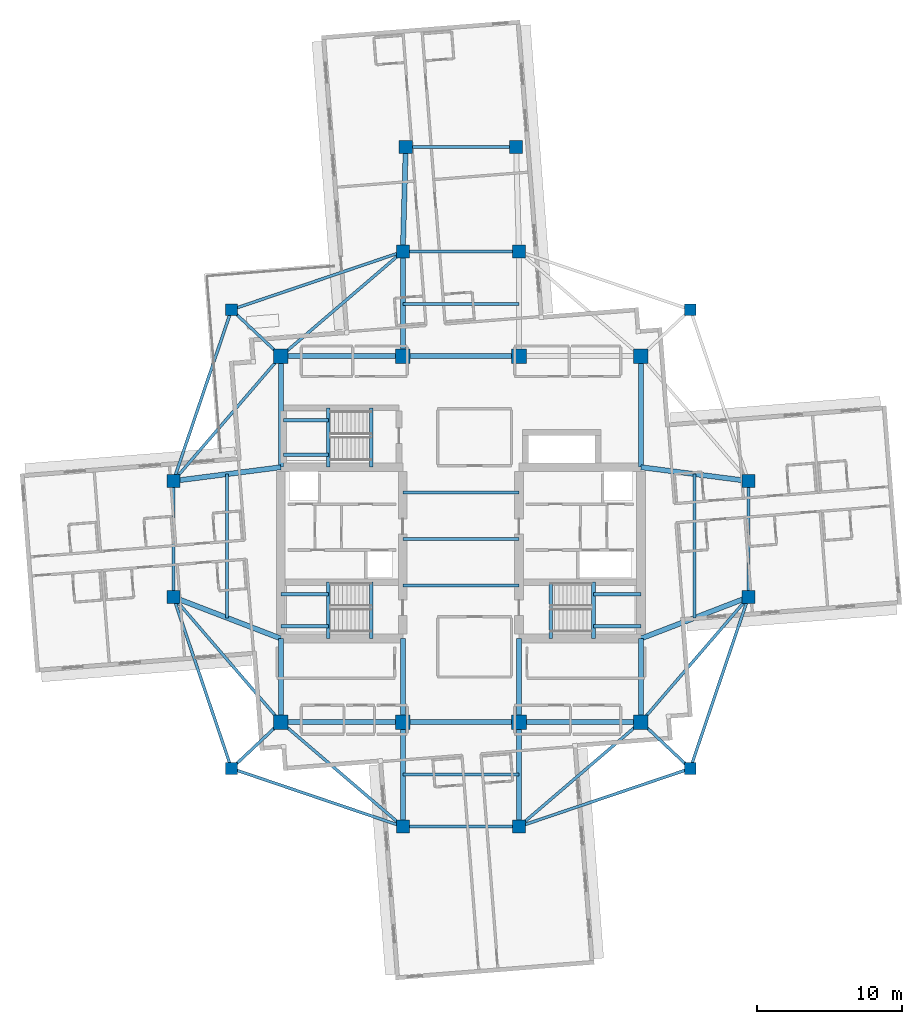
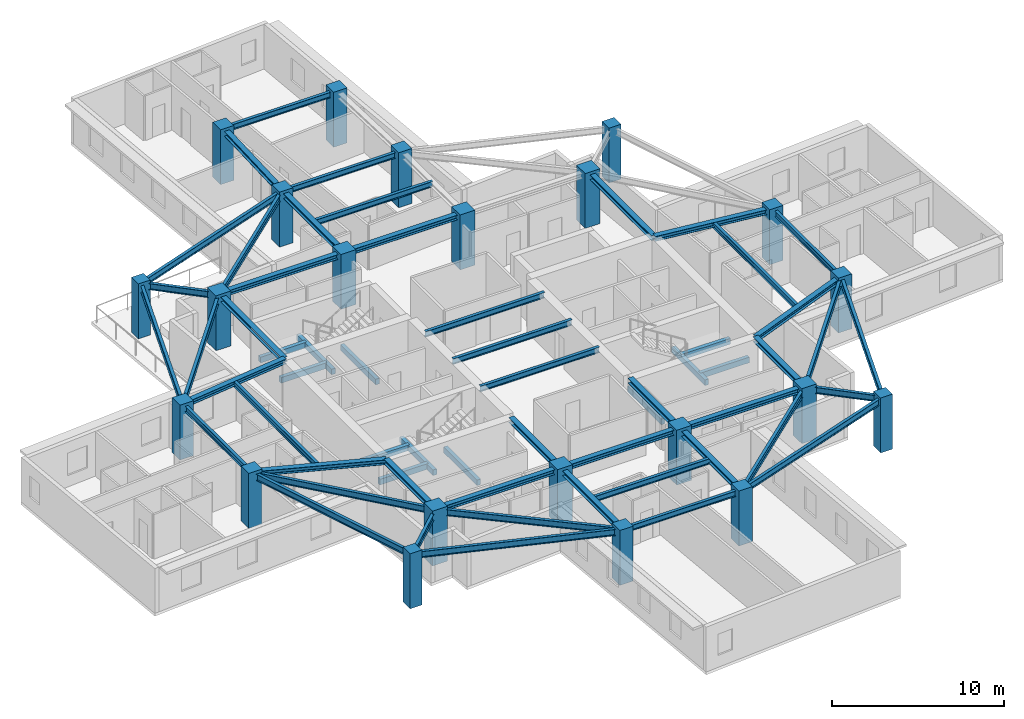
# One storey, part 1 of 13: 58 beams, 22 columns.
"""IFC4 building model written with IfcOpenShell, lengths in metres."""

from ifc_helpers import new_model, si_unit, direction, frame, origin, origin_2d, place, context, subcontext, project, spatial, rectangle, i_section, extrude, material, material_profile, profile_set, type_object, element, save


model = new_model("IFC4")

# Units and contexts
model_context = context("Model", 3, precision=1e-05, world=origin(), true_north=direction((0.0, 1.0)))
body_context = subcontext(model_context, "Body", "Model", "MODEL_VIEW")
ifc_project = project(units=[si_unit("LENGTHUNIT", "METRE"), si_unit("AREAUNIT", "SQUARE_METRE"), si_unit("VOLUMEUNIT", "CUBIC_METRE"), si_unit("PLANEANGLEUNIT", "RADIAN"), si_unit("MASSUNIT", "GRAM", prefix="KILO")], contexts=[model_context])

# Site, building, storey
site_placement = place(None, origin())
site = spatial("IfcSite", under=ifc_project, at=site_placement, CompositionType="ELEMENT")
building_placement = place(site_placement, origin())
building = spatial("IfcBuilding", under=site, at=building_placement, Name="Qingluan Cross Belvedere", CompositionType="ELEMENT")
storey_placement = place(building_placement, frame((0.0, 0.0, 205.199951171875)))
storey = spatial("IfcBuildingStorey", under=building, at=storey_placement, Name="L51", CompositionType="ELEMENT", Elevation=205.199951171875)

# Columns
ifc_material_1 = material(Name="Concrete C50", Category="concrete")
ifc_material_profile_1 = material_profile(ifc_material_1, rectangle(XDim=1.0, YDim=1.0, at=origin_2d()), Name="RC1000x1000")
ifc_profile_set_1 = profile_set([ifc_material_profile_1], Name="Concrete C50")
column_type_1 = type_object("IfcColumnType", Name="Column_RC1000x1000", PredefinedType="COLUMN", material=ifc_profile_set_1)
for number, where, z_axis, x_axis, name in (
    (1, (-12.39990234375, -12.60009765625, 0.0), (0.0, 0.0, 1.0), (1.0, 0.0, 0.0), "Hub column L51-HC1"),
    (2, (12.39990234375, -12.60009765625, 0.0), (0.0, 0.0, 1.0), (1.0, 0.0, 0.0), "Hub column L51-HC2"),
    (3, (12.39990234375, 12.60009765625, 0.0), (0.0, 0.0, 1.0), (1.0, 0.0, 0.0), "Hub column L51-HC3"),
    (4, (-12.39990234375, 12.60009765625, 0.0), (0.0, 0.0, 1.0), (1.0, 0.0, 0.0), "Hub column L51-HC4"),
    (5, (-4.0, -12.60009765625, 0.0), (0.0, 0.0, 1.0), (1.0, 0.0, 0.0), "Hub column L51-HC5"),
    (6, (4.0, -12.60009765625, 0.0), (0.0, 0.0, 1.0), (1.0, 0.0, 0.0), "Hub column L51-HC6"),
    (7, (4.0, 12.60009765625, 0.0), (0.0, 0.0, 1.0), (1.0, 0.0, 0.0), "Hub column L51-HC7"),
    (8, (-4.0, 12.60009765625, 0.0), (0.0, 0.0, 1.0), (1.0, 0.0, 0.0), "Hub column L51-HC8"),
):
    element("IfcColumn", number, at=place(storey_placement, frame(where, z_axis=z_axis, x_axis=x_axis)), inside=storey, type_object=column_type_1, Name=name, PredefinedType="COLUMN", context=body_context, shape_type="SweptSolid", body=[
        extrude(rectangle(XDim=1.0, YDim=1.0, at=origin_2d()), origin(), (0.0, 0.0, 1.0), 3.900146484375),
    ])
ifc_material_2 = material(Name="Concrete C50", Category="concrete")
ifc_material_profile_2 = material_profile(ifc_material_2, rectangle(XDim=0.800048828125, YDim=0.800048828125, at=origin_2d()), Name="RC800x800")
ifc_profile_set_2 = profile_set([ifc_material_profile_2], Name="Concrete C50")
column_type_2 = type_object("IfcColumnType", Name="Column_RC800x800", PredefinedType="COLUMN", material=ifc_profile_set_2)
for number, where, z_axis, x_axis, name in (
    (9, (15.800048828125, 15.800048828125, 0.0), (0.0, 0.0, 1.0), (1.0, 0.0, 0.0), "Corner column L51-RNE"),
    (10, (-15.800048828125, 15.800048828125, 0.0), (0.0, 0.0, 1.0), (1.0, 0.0, 0.0), "Corner column L51-RNW"),
    (11, (-15.800048828125, -15.800048828125, 0.0), (0.0, 0.0, 1.0), (1.0, 0.0, 0.0), "Corner column L51-RSW"),
    (12, (15.800048828125, -15.800048828125, 0.0), (0.0, 0.0, 1.0), (1.0, 0.0, 0.0), "Corner column L51-RSE"),
):
    element("IfcColumn", number, at=place(storey_placement, frame(where, z_axis=z_axis, x_axis=x_axis)), inside=storey, type_object=column_type_2, Name=name, PredefinedType="COLUMN", context=body_context, shape_type="SweptSolid", body=[
        extrude(rectangle(XDim=0.800048828125, YDim=0.800048828125, at=origin_2d()), origin(), (0.0, 0.0, 1.0), 3.900146484375),
    ])
ifc_material_3 = material(Name="Concrete C50", Category="concrete")
ifc_material_profile_3 = material_profile(ifc_material_3, rectangle(XDim=0.89990234375, YDim=0.89990234375, at=origin_2d()), Name="RC900x900")
ifc_profile_set_3 = profile_set([ifc_material_profile_3], Name="Concrete C50")
column_type_3 = type_object("IfcColumnType", Name="Column_RC900x900", PredefinedType="COLUMN", material=ifc_profile_set_3)
for number, where, z_axis, x_axis, name in (
    (13, (19.800048828125, -4.0, 0.0), (0.0, 0.0, 1.0), (1.0, 0.0, 0.0), "Arm column L51-EIA"),
    (14, (19.800048828125, 4.0, 0.0), (0.0, 0.0, 1.0), (1.0, 0.0, 0.0), "Arm column L51-EIB"),
    (15, (-19.800048828125, -4.0, 0.0), (0.0, 0.0, 1.0), (1.0, 0.0, 0.0), "Arm column L51-WIA"),
    (16, (-19.800048828125, 4.0, 0.0), (0.0, 0.0, 1.0), (1.0, 0.0, 0.0), "Arm column L51-WIB"),
    (17, (-4.0, -19.800048828125, 0.0), (0.0, 0.0, 1.0), (1.0, 0.0, 0.0), "Arm column L51-SIA"),
    (18, (4.0, -19.800048828125, 0.0), (0.0, 0.0, 1.0), (1.0, 0.0, 0.0), "Arm column L51-SIB"),
    (19, (-4.0, 19.800048828125, 0.0), (0.0, 0.0, 1.0), (1.0, 0.0, 0.0), "Arm column L51-NIA"),
    (20, (4.0, 19.800048828125, 0.0), (0.0, 0.0, 1.0), (1.0, 0.0, 0.0), "Arm column L51-NIB"),
    (21, (-3.800048828125, 27.0, 0.0), (0.0, 0.0, 1.0), (1.0, 0.0, 0.0), "Arm column L51-NOA"),
    (22, (3.800048828125, 27.0, 0.0), (0.0, 0.0, 1.0), (1.0, 0.0, 0.0), "Arm column L51-NOB"),
):
    element("IfcColumn", number, at=place(storey_placement, frame(where, z_axis=z_axis, x_axis=x_axis)), inside=storey, type_object=column_type_3, Name=name, PredefinedType="COLUMN", context=body_context, shape_type="SweptSolid", body=[
        extrude(rectangle(XDim=0.89990234375, YDim=0.89990234375, at=origin_2d()), origin(), (0.0, 0.0, 1.0), 3.900146484375),
    ])

# Beams
ifc_material_4 = material(Name="Concrete C45", Category="concrete")
ifc_material_profile_4 = material_profile(ifc_material_4, rectangle(XDim=0.25, YDim=0.39990234375, at=origin_2d()), Name="RC250x400")
ifc_profile_set_4 = profile_set([ifc_material_profile_4], Name="Concrete C45")
beam_type_1 = type_object("IfcBeamType", Name="RC_Lintel_RC250x400", PredefinedType="LINTEL", material=ifc_profile_set_4)
for number, where, z_axis, x_axis, name in (
    (23, (-6.179931640625, -6.85009765625, -0.199951171875), (0.0, 1.0, 0.0), (-1.0, 0.0, 0.0), "Stair ST1 landing beam L51"),
    (24, (6.179931640625, -6.85009765625, -0.199951171875), (0.0, 1.0, 0.0), (-1.0, 0.0, 0.0), "Stair ST2 landing beam L51"),
):
    element("IfcBeam", number, at=place(storey_placement, frame(where, z_axis=z_axis, x_axis=x_axis)), inside=storey, type_object=beam_type_1, Name=name, PredefinedType="LINTEL", context=body_context, shape_type="SweptSolid", body=[
        extrude(rectangle(XDim=0.25, YDim=0.39990234375, at=origin_2d()), origin(), (0.0, 0.0, 1.0), 3.89013671875),
    ])
beam_1_placement = place(storey_placement, frame((-6.179931640625, 4.949951171875, -0.199951171875), z_axis=(0.0, 1.0, 0.0), x_axis=(-1.0, 0.0, 0.0)))
element("IfcBeam", 25, at=beam_1_placement, inside=storey, type_object=beam_type_1, Name="Stair ST3 landing beam L51", PredefinedType="LINTEL", context=body_context, shape_type="SweptSolid", body=[
    extrude(rectangle(XDim=0.25, YDim=0.39990234375, at=origin_2d()), origin(), (0.0, 0.0, 1.0), 4.090087890625),
])
beam_2_placement = place(storey_placement, frame((-9.1298828125, -6.85009765625, 1.550048828125), z_axis=(0.0, 1.0, 0.0), x_axis=(-1.0, 0.0, 0.0)))
element("IfcBeam", 26, at=beam_2_placement, inside=storey, type_object=beam_type_1, Name="Stair ST1 beam A L51", PredefinedType="LINTEL", context=body_context, shape_type="SweptSolid", body=[
    extrude(rectangle(XDim=0.25, YDim=0.39990234375, at=origin_2d()), origin(), (0.0, 0.0, 1.0), 3.89013671875),
])
for number, where, z_axis, x_axis, name in (
    (27, (-12.39990234375, -6.0, 1.550048828125), (1.0, 0.0, 0.0), (0.0, 1.0, 0.0), "Stair ST1 beam B L51"),
    (28, (-12.39990234375, -3.81005859375, 1.550048828125), (1.0, 0.0, 0.0), (0.0, 1.0, 0.0), "Stair ST1 beam C L51"),
):
    element("IfcBeam", number, at=place(storey_placement, frame(where, z_axis=z_axis, x_axis=x_axis)), inside=storey, type_object=beam_type_1, Name=name, PredefinedType="LINTEL", context=body_context, shape_type="SweptSolid", body=[
        extrude(rectangle(XDim=0.25, YDim=0.39990234375, at=origin_2d()), origin(), (0.0, 0.0, 1.0), 3.27001953125),
    ])
beam_3_placement = place(storey_placement, frame((9.1298828125, -6.85009765625, 1.550048828125), z_axis=(0.0, 1.0, 0.0), x_axis=(-1.0, 0.0, 0.0)))
element("IfcBeam", 29, at=beam_3_placement, inside=storey, type_object=beam_type_1, Name="Stair ST2 beam A L51", PredefinedType="LINTEL", context=body_context, shape_type="SweptSolid", body=[
    extrude(rectangle(XDim=0.25, YDim=0.39990234375, at=origin_2d()), origin(), (0.0, 0.0, 1.0), 3.89013671875),
])
for number, where, z_axis, x_axis, name in (
    (30, (12.39990234375, -6.0, 1.550048828125), (-1.0, 0.0, 0.0), (0.0, -1.0, 0.0), "Stair ST2 beam B L51"),
    (31, (12.39990234375, -3.81005859375, 1.550048828125), (-1.0, 0.0, 0.0), (0.0, -1.0, 0.0), "Stair ST2 beam C L51"),
):
    element("IfcBeam", number, at=place(storey_placement, frame(where, z_axis=z_axis, x_axis=x_axis)), inside=storey, type_object=beam_type_1, Name=name, PredefinedType="LINTEL", context=body_context, shape_type="SweptSolid", body=[
        extrude(rectangle(XDim=0.25, YDim=0.39990234375, at=origin_2d()), origin(), (0.0, 0.0, 1.0), 3.27001953125),
    ])
beam_4_placement = place(storey_placement, frame((-9.1298828125, 4.949951171875, 1.550048828125), z_axis=(0.0, 1.0, 0.0), x_axis=(-1.0, 0.0, 0.0)))
element("IfcBeam", 32, at=beam_4_placement, inside=storey, type_object=beam_type_1, Name="Stair ST3 beam A L51", PredefinedType="LINTEL", context=body_context, shape_type="SweptSolid", body=[
    extrude(rectangle(XDim=0.25, YDim=0.39990234375, at=origin_2d()), origin(), (0.0, 0.0, 1.0), 4.090087890625),
])
for number, where, z_axis, x_axis, name in (
    (33, (-12.219970703125, 5.800048828125, 1.550048828125), (1.0, 0.0, 0.0), (0.0, 1.0, 0.0), "Stair ST3 beam B L51"),
    (34, (-12.219970703125, 8.18994140625, 1.550048828125), (1.0, 0.0, 0.0), (0.0, 1.0, 0.0), "Stair ST3 beam C L51"),
):
    element("IfcBeam", number, at=place(storey_placement, frame(where, z_axis=z_axis, x_axis=x_axis)), inside=storey, type_object=beam_type_1, Name=name, PredefinedType="LINTEL", context=body_context, shape_type="SweptSolid", body=[
        extrude(rectangle(XDim=0.25, YDim=0.39990234375, at=origin_2d()), origin(), (0.0, 0.0, 1.0), 3.090087890625),
    ])
ifc_material_5 = material(Name="Steel Q420GJB", Category="steel")
ifc_material_profile_5 = material_profile(ifc_material_5, i_section(OverallWidth=0.199951171875, OverallDepth=0.39990234375, WebThickness=0.008056640625, FlangeThickness=0.012939453125, FilletRadius=0.012939453125, at=origin_2d()), Name="HN400x200x8x13")
ifc_profile_set_5 = profile_set([ifc_material_profile_5], Name="Steel Q420GJB")
beam_type_2 = type_object("IfcBeamType", Name="Steel_Beam_HN400x200x8x13", PredefinedType="JOIST", material=ifc_profile_set_5)
for number, where, z_axis, x_axis, name in (
    (35, (-4.0, -3.199951171875, 3.5), (1.0, 0.0, 0.0), (0.0, 1.0, 0.0), "Hall beam L51-CH1"),
    (36, (-4.0, 0.0, 3.5), (1.0, 0.0, 0.0), (0.0, 1.0, 0.0), "Hall beam L51-CH2"),
    (37, (-4.0, 3.199951171875, 3.5), (1.0, 0.0, 0.0), (0.0, 1.0, 0.0), "Hall beam L51-CH3"),
    (38, (19.800048828125, -4.0, 3.5), (0.0, 1.0, 0.0), (-1.0, 0.0, 0.0), "Arm E tie L51"),
):
    element("IfcBeam", number, at=place(storey_placement, frame(where, z_axis=z_axis, x_axis=x_axis)), inside=storey, type_object=beam_type_2, Name=name, PredefinedType="JOIST", context=body_context, shape_type="SweptSolid", body=[
        extrude(i_section(OverallWidth=0.199951171875, OverallDepth=0.39990234375, WebThickness=0.008056640625, FlangeThickness=0.012939453125, FilletRadius=0.012939453125, at=origin_2d()), origin(), (0.0, 0.0, 1.0), 8.0),
    ])
beam_5_placement = place(storey_placement, frame((16.10009765625, -5.425048828125, 3.5), z_axis=(0.0, 1.0, 0.0), x_axis=(-1.0, 0.0, 0.0)))
element("IfcBeam", 39, at=beam_5_placement, inside=storey, type_object=beam_type_2, Name="Arm E beam L51", PredefinedType="JOIST", context=body_context, shape_type="SweptSolid", body=[
    extrude(i_section(OverallWidth=0.199951171875, OverallDepth=0.39990234375, WebThickness=0.008056640625, FlangeThickness=0.012939453125, FilletRadius=0.012939453125, at=origin_2d()), origin(), (0.0, 0.0, 1.0), 9.900146484375),
])
beam_6_placement = place(storey_placement, frame((-19.800048828125, -4.0, 3.5), z_axis=(0.0, 1.0, 0.0), x_axis=(-1.0, 0.0, 0.0)))
element("IfcBeam", 40, at=beam_6_placement, inside=storey, type_object=beam_type_2, Name="Arm W tie L51", PredefinedType="JOIST", context=body_context, shape_type="SweptSolid", body=[
    extrude(i_section(OverallWidth=0.199951171875, OverallDepth=0.39990234375, WebThickness=0.008056640625, FlangeThickness=0.012939453125, FilletRadius=0.012939453125, at=origin_2d()), origin(), (0.0, 0.0, 1.0), 8.0),
])
beam_7_placement = place(storey_placement, frame((-16.10009765625, -5.425048828125, 3.5), z_axis=(0.0, 1.0, 0.0), x_axis=(-1.0, 0.0, 0.0)))
element("IfcBeam", 41, at=beam_7_placement, inside=storey, type_object=beam_type_2, Name="Arm W beam L51", PredefinedType="JOIST", context=body_context, shape_type="SweptSolid", body=[
    extrude(i_section(OverallWidth=0.199951171875, OverallDepth=0.39990234375, WebThickness=0.008056640625, FlangeThickness=0.012939453125, FilletRadius=0.012939453125, at=origin_2d()), origin(), (0.0, 0.0, 1.0), 9.900146484375),
])
for number, where, z_axis, x_axis, name in (
    (42, (-4.0, 19.800048828125, 3.5), (1.0, 0.0, 0.0), (0.0, 1.0, 0.0), "Arm N tie L51"),
    (43, (-4.0, 16.199951171875, 3.5), (1.0, 0.0, 0.0), (0.0, 1.0, 0.0), "Arm N beam L51"),
):
    element("IfcBeam", number, at=place(storey_placement, frame(where, z_axis=z_axis, x_axis=x_axis)), inside=storey, type_object=beam_type_2, Name=name, PredefinedType="JOIST", context=body_context, shape_type="SweptSolid", body=[
        extrude(i_section(OverallWidth=0.199951171875, OverallDepth=0.39990234375, WebThickness=0.008056640625, FlangeThickness=0.012939453125, FilletRadius=0.012939453125, at=origin_2d()), origin(), (0.0, 0.0, 1.0), 8.0),
    ])
beam_8_placement = place(storey_placement, frame((-3.800048828125, 27.0, 3.5), z_axis=(1.0, 0.0, 0.0), x_axis=(0.0, 1.0, 0.0)))
element("IfcBeam", 44, at=beam_8_placement, inside=storey, type_object=beam_type_2, Name="Arm N tip transverse beam L51", PredefinedType="JOIST", context=body_context, shape_type="SweptSolid", body=[
    extrude(i_section(OverallWidth=0.199951171875, OverallDepth=0.39990234375, WebThickness=0.008056640625, FlangeThickness=0.012939453125, FilletRadius=0.012939453125, at=origin_2d()), origin(), (0.0, 0.0, 1.0), 7.60009765625),
])
for number, where, z_axis, x_axis, name in (
    (45, (-4.0, -19.800048828125, 3.5), (1.0, 0.0, 0.0), (0.0, 1.0, 0.0), "Arm S tie L51"),
    (46, (-4.0, -16.199951171875, 3.5), (1.0, 0.0, 0.0), (0.0, 1.0, 0.0), "Arm S beam L51"),
):
    element("IfcBeam", number, at=place(storey_placement, frame(where, z_axis=z_axis, x_axis=x_axis)), inside=storey, type_object=beam_type_2, Name=name, PredefinedType="JOIST", context=body_context, shape_type="SweptSolid", body=[
        extrude(i_section(OverallWidth=0.199951171875, OverallDepth=0.39990234375, WebThickness=0.008056640625, FlangeThickness=0.012939453125, FilletRadius=0.012939453125, at=origin_2d()), origin(), (0.0, 0.0, 1.0), 8.0),
    ])
ifc_material_6 = material(Name="Steel Q420GJB", Category="steel")
ifc_material_profile_6 = material_profile(ifc_material_6, i_section(OverallWidth=0.199951171875, OverallDepth=0.449951171875, WebThickness=0.009033203125, FlangeThickness=0.013916015625, FilletRadius=0.01611328125, at=origin_2d()), Name="HN450x200x9x14")
ifc_profile_set_6 = profile_set([ifc_material_profile_6], Name="Steel Q420GJB")
beam_type_3 = type_object("IfcBeamType", Name="Steel_Beam_HN450x200x9x14", PredefinedType="JOIST", material=ifc_profile_set_6)
beam_9_placement = place(storey_placement, frame((-12.39990234375, 12.60009765625, 3.47509765625), z_axis=(-0.728219948308, 0.685343495546, 0.0), x_axis=(-0.685343495546, -0.728219948308, 0.0)))
element("IfcBeam", 47, at=beam_9_placement, inside=storey, type_object=beam_type_3, Name="Corner beam 1 L51-RNW", PredefinedType="JOIST", context=body_context, shape_type="SweptSolid", body=[
    extrude(i_section(OverallWidth=0.199951171875, OverallDepth=0.449951171875, WebThickness=0.009033203125, FlangeThickness=0.013916015625, FilletRadius=0.01611328125, at=origin_2d()), origin(), (0.0, 0.0, 1.0), 4.669189453125),
])
for number, where, z_axis, x_axis, name in (
    (48, (-15.800048828125, 15.800048828125, 3.47509765625), (0.947066283324, 0.321038089628, 0.0), (-0.321038089628, 0.947066283324, 0.0), "Corner beam 2 L51-RNW"),
    (49, (-15.800048828125, 15.800048828125, 3.47509765625), (-0.321038089628, -0.947066283324, 0.0), (0.947066283324, -0.321038089628, 0.0), "Corner beam 3 L51-RNW"),
):
    element("IfcBeam", number, at=place(storey_placement, frame(where, z_axis=z_axis, x_axis=x_axis)), inside=storey, type_object=beam_type_3, Name=name, PredefinedType="JOIST", context=body_context, shape_type="SweptSolid", body=[
        extrude(i_section(OverallWidth=0.199951171875, OverallDepth=0.449951171875, WebThickness=0.009033203125, FlangeThickness=0.013916015625, FilletRadius=0.01611328125, at=origin_2d()), origin(), (0.0, 0.0, 1.0), 12.45947265625),
    ])
beam_10_placement = place(storey_placement, frame((-12.39990234375, 12.60009765625, 3.47509765625), z_axis=(-0.652245077546, -0.75800815221, 0.0), x_axis=(0.75800815221, -0.652245077546, 0.0)))
element("IfcBeam", 50, at=beam_10_placement, inside=storey, type_object=beam_type_3, Name="Corner beam 4 L51-RNW", PredefinedType="JOIST", context=body_context, shape_type="SweptSolid", body=[
    extrude(i_section(OverallWidth=0.199951171875, OverallDepth=0.449951171875, WebThickness=0.009033203125, FlangeThickness=0.013916015625, FilletRadius=0.01611328125, at=origin_2d()), origin(), (0.0, 0.0, 1.0), 11.345703125),
])
beam_11_placement = place(storey_placement, frame((-12.39990234375, 12.60009765625, 3.47509765625), z_axis=(0.759255044656, 0.650793190779, 0.0), x_axis=(-0.650793190779, 0.759255044656, 0.0)))
element("IfcBeam", 51, at=beam_11_placement, inside=storey, type_object=beam_type_3, Name="Corner beam 5 L51-RNW", PredefinedType="JOIST", context=body_context, shape_type="SweptSolid", body=[
    extrude(i_section(OverallWidth=0.199951171875, OverallDepth=0.449951171875, WebThickness=0.009033203125, FlangeThickness=0.013916015625, FilletRadius=0.01611328125, at=origin_2d()), origin(), (0.0, 0.0, 1.0), 11.063232421875),
])
beam_12_placement = place(storey_placement, frame((-12.39990234375, -12.60009765625, 3.455078125), z_axis=(-0.728219948308, -0.685343495546, 0.0), x_axis=(0.685343495546, -0.728219948308, 0.0)))
element("IfcBeam", 52, at=beam_12_placement, inside=storey, type_object=beam_type_3, Name="Corner beam 1 L51-RSW", PredefinedType="JOIST", context=body_context, shape_type="SweptSolid", body=[
    extrude(i_section(OverallWidth=0.199951171875, OverallDepth=0.449951171875, WebThickness=0.009033203125, FlangeThickness=0.013916015625, FilletRadius=0.01611328125, at=origin_2d()), origin(), (0.0, 0.0, 1.0), 4.669189453125),
])
for number, where, z_axis, x_axis, name in (
    (53, (-15.800048828125, -15.800048828125, 3.455078125), (0.947066283324, -0.321038089628, 0.0), (0.321038089628, 0.947066283324, 0.0), "Corner beam 2 L51-RSW"),
    (54, (-15.800048828125, -15.800048828125, 3.455078125), (-0.321038089628, 0.947066283324, 0.0), (-0.947066283324, -0.321038089628, 0.0), "Corner beam 3 L51-RSW"),
):
    element("IfcBeam", number, at=place(storey_placement, frame(where, z_axis=z_axis, x_axis=x_axis)), inside=storey, type_object=beam_type_3, Name=name, PredefinedType="JOIST", context=body_context, shape_type="SweptSolid", body=[
        extrude(i_section(OverallWidth=0.199951171875, OverallDepth=0.449951171875, WebThickness=0.009033203125, FlangeThickness=0.013916015625, FilletRadius=0.01611328125, at=origin_2d()), origin(), (0.0, 0.0, 1.0), 12.45947265625),
    ])
beam_13_placement = place(storey_placement, frame((-12.39990234375, -12.60009765625, 3.455078125), z_axis=(-0.652245077546, 0.75800815221, 0.0), x_axis=(-0.75800815221, -0.652245077546, 0.0)))
element("IfcBeam", 55, at=beam_13_placement, inside=storey, type_object=beam_type_3, Name="Corner beam 4 L51-RSW", PredefinedType="JOIST", context=body_context, shape_type="SweptSolid", body=[
    extrude(i_section(OverallWidth=0.199951171875, OverallDepth=0.449951171875, WebThickness=0.009033203125, FlangeThickness=0.013916015625, FilletRadius=0.01611328125, at=origin_2d()), origin(), (0.0, 0.0, 1.0), 11.345703125),
])
beam_14_placement = place(storey_placement, frame((-12.39990234375, -12.60009765625, 3.455078125), z_axis=(0.759255044656, -0.650793190779, 0.0), x_axis=(0.650793190779, 0.759255044656, 0.0)))
element("IfcBeam", 56, at=beam_14_placement, inside=storey, type_object=beam_type_3, Name="Corner beam 5 L51-RSW", PredefinedType="JOIST", context=body_context, shape_type="SweptSolid", body=[
    extrude(i_section(OverallWidth=0.199951171875, OverallDepth=0.449951171875, WebThickness=0.009033203125, FlangeThickness=0.013916015625, FilletRadius=0.01611328125, at=origin_2d()), origin(), (0.0, 0.0, 1.0), 11.063232421875),
])
beam_15_placement = place(storey_placement, frame((12.39990234375, -12.60009765625, 3.47509765625), z_axis=(0.728219948308, -0.685343495546, 0.0), x_axis=(0.685343495546, 0.728219948308, 0.0)))
element("IfcBeam", 57, at=beam_15_placement, inside=storey, type_object=beam_type_3, Name="Corner beam 1 L51-RSE", PredefinedType="JOIST", context=body_context, shape_type="SweptSolid", body=[
    extrude(i_section(OverallWidth=0.199951171875, OverallDepth=0.449951171875, WebThickness=0.009033203125, FlangeThickness=0.013916015625, FilletRadius=0.01611328125, at=origin_2d()), origin(), (0.0, 0.0, 1.0), 4.669189453125),
])
for number, where, z_axis, x_axis, name in (
    (58, (15.800048828125, -15.800048828125, 3.47509765625), (-0.947066283324, -0.321038089628, 0.0), (0.321038089628, -0.947066283324, 0.0), "Corner beam 2 L51-RSE"),
    (59, (15.800048828125, -15.800048828125, 3.47509765625), (0.321038089628, 0.947066283324, 0.0), (-0.947066283324, 0.321038089628, 0.0), "Corner beam 3 L51-RSE"),
):
    element("IfcBeam", number, at=place(storey_placement, frame(where, z_axis=z_axis, x_axis=x_axis)), inside=storey, type_object=beam_type_3, Name=name, PredefinedType="JOIST", context=body_context, shape_type="SweptSolid", body=[
        extrude(i_section(OverallWidth=0.199951171875, OverallDepth=0.449951171875, WebThickness=0.009033203125, FlangeThickness=0.013916015625, FilletRadius=0.01611328125, at=origin_2d()), origin(), (0.0, 0.0, 1.0), 12.45947265625),
    ])
beam_16_placement = place(storey_placement, frame((12.39990234375, -12.60009765625, 3.47509765625), z_axis=(0.652245077546, 0.75800815221, 0.0), x_axis=(-0.75800815221, 0.652245077546, 0.0)))
element("IfcBeam", 60, at=beam_16_placement, inside=storey, type_object=beam_type_3, Name="Corner beam 4 L51-RSE", PredefinedType="JOIST", context=body_context, shape_type="SweptSolid", body=[
    extrude(i_section(OverallWidth=0.199951171875, OverallDepth=0.449951171875, WebThickness=0.009033203125, FlangeThickness=0.013916015625, FilletRadius=0.01611328125, at=origin_2d()), origin(), (0.0, 0.0, 1.0), 11.345703125),
])
beam_17_placement = place(storey_placement, frame((12.39990234375, -12.60009765625, 3.47509765625), z_axis=(-0.759255044656, -0.650793190779, 0.0), x_axis=(0.650793190779, -0.759255044656, 0.0)))
element("IfcBeam", 61, at=beam_17_placement, inside=storey, type_object=beam_type_3, Name="Corner beam 5 L51-RSE", PredefinedType="JOIST", context=body_context, shape_type="SweptSolid", body=[
    extrude(i_section(OverallWidth=0.199951171875, OverallDepth=0.449951171875, WebThickness=0.009033203125, FlangeThickness=0.013916015625, FilletRadius=0.01611328125, at=origin_2d()), origin(), (0.0, 0.0, 1.0), 11.063232421875),
])
ifc_material_7 = material(Name="Steel Q420GJB", Category="steel")
ifc_material_profile_7 = material_profile(ifc_material_7, i_section(OverallWidth=0.35009765625, OverallDepth=0.35009765625, WebThickness=0.011962890625, FlangeThickness=0.01904296875, FilletRadius=0.02001953125, at=origin_2d()), Name="HW350x350x12x19")
ifc_profile_set_7 = profile_set([ifc_material_profile_7], Name="Steel Q420GJB")
beam_type_4 = type_object("IfcBeamType", Name="Steel_Girder_HW350x350x12x19", PredefinedType="USERDEFINED", material=ifc_profile_set_7)
beam_18_placement = place(storey_placement, frame((-12.39990234375, -12.60009765625, 3.525146484375), z_axis=(1.0, 0.0, 0.0), x_axis=(0.0, 1.0, 0.0)))
element("IfcBeam", 62, at=beam_18_placement, inside=storey, type_object=beam_type_4, Name="Hub girder L51-HG-S1", ObjectType="GIRDER", PredefinedType="USERDEFINED", context=body_context, shape_type="SweptSolid", body=[
    extrude(i_section(OverallWidth=0.35009765625, OverallDepth=0.35009765625, WebThickness=0.011962890625, FlangeThickness=0.01904296875, FilletRadius=0.02001953125, at=origin_2d()), origin(), (0.0, 0.0, 1.0), 8.39990234375),
])
beam_19_placement = place(storey_placement, frame((-4.0, -12.60009765625, 3.525146484375), z_axis=(1.0, 0.0, 0.0), x_axis=(0.0, 1.0, 0.0)))
element("IfcBeam", 63, at=beam_19_placement, inside=storey, type_object=beam_type_4, Name="Hub girder L51-HG-S2", ObjectType="GIRDER", PredefinedType="USERDEFINED", context=body_context, shape_type="SweptSolid", body=[
    extrude(i_section(OverallWidth=0.35009765625, OverallDepth=0.35009765625, WebThickness=0.011962890625, FlangeThickness=0.01904296875, FilletRadius=0.02001953125, at=origin_2d()), origin(), (0.0, 0.0, 1.0), 8.0),
])
for number, where, z_axis, x_axis, name in (
    (64, (4.0, -12.60009765625, 3.525146484375), (1.0, 0.0, 0.0), (0.0, 1.0, 0.0), "Hub girder L51-HG-S3"),
    (65, (-12.39990234375, 12.60009765625, 3.525146484375), (1.0, 0.0, 0.0), (0.0, 1.0, 0.0), "Hub girder L51-HG-N1"),
):
    element("IfcBeam", number, at=place(storey_placement, frame(where, z_axis=z_axis, x_axis=x_axis)), inside=storey, type_object=beam_type_4, Name=name, ObjectType="GIRDER", PredefinedType="USERDEFINED", context=body_context, shape_type="SweptSolid", body=[
        extrude(i_section(OverallWidth=0.35009765625, OverallDepth=0.35009765625, WebThickness=0.011962890625, FlangeThickness=0.01904296875, FilletRadius=0.02001953125, at=origin_2d()), origin(), (0.0, 0.0, 1.0), 8.39990234375),
    ])
beam_20_placement = place(storey_placement, frame((-4.0, 12.60009765625, 3.525146484375), z_axis=(1.0, 0.0, 0.0), x_axis=(0.0, 1.0, 0.0)))
element("IfcBeam", 66, at=beam_20_placement, inside=storey, type_object=beam_type_4, Name="Hub girder L51-HG-N2", ObjectType="GIRDER", PredefinedType="USERDEFINED", context=body_context, shape_type="SweptSolid", body=[
    extrude(i_section(OverallWidth=0.35009765625, OverallDepth=0.35009765625, WebThickness=0.011962890625, FlangeThickness=0.01904296875, FilletRadius=0.02001953125, at=origin_2d()), origin(), (0.0, 0.0, 1.0), 8.0),
])
beam_21_placement = place(storey_placement, frame((-12.39990234375, -12.60009765625, 3.525146484375), z_axis=(0.0, 1.0, 0.0), x_axis=(-1.0, 0.0, 0.0)))
element("IfcBeam", 67, at=beam_21_placement, inside=storey, type_object=beam_type_4, Name="Hub girder L51-HG-W1", ObjectType="GIRDER", PredefinedType="USERDEFINED", context=body_context, shape_type="SweptSolid", body=[
    extrude(i_section(OverallWidth=0.35009765625, OverallDepth=0.35009765625, WebThickness=0.011962890625, FlangeThickness=0.01904296875, FilletRadius=0.02001953125, at=origin_2d()), origin(), (0.0, 0.0, 1.0), 5.75),
])
beam_22_placement = place(storey_placement, frame((-12.39990234375, 4.949951171875, 3.525146484375), z_axis=(0.0, 1.0, 0.0), x_axis=(-1.0, 0.0, 0.0)))
element("IfcBeam", 68, at=beam_22_placement, inside=storey, type_object=beam_type_4, Name="Hub girder L51-HG-W2", ObjectType="GIRDER", PredefinedType="USERDEFINED", context=body_context, shape_type="SweptSolid", body=[
    extrude(i_section(OverallWidth=0.35009765625, OverallDepth=0.35009765625, WebThickness=0.011962890625, FlangeThickness=0.01904296875, FilletRadius=0.02001953125, at=origin_2d()), origin(), (0.0, 0.0, 1.0), 7.650146484375),
])
beam_23_placement = place(storey_placement, frame((12.39990234375, -12.60009765625, 3.525146484375), z_axis=(0.0, 1.0, 0.0), x_axis=(-1.0, 0.0, 0.0)))
element("IfcBeam", 69, at=beam_23_placement, inside=storey, type_object=beam_type_4, Name="Hub girder L51-HG-E1", ObjectType="GIRDER", PredefinedType="USERDEFINED", context=body_context, shape_type="SweptSolid", body=[
    extrude(i_section(OverallWidth=0.35009765625, OverallDepth=0.35009765625, WebThickness=0.011962890625, FlangeThickness=0.01904296875, FilletRadius=0.02001953125, at=origin_2d()), origin(), (0.0, 0.0, 1.0), 5.75),
])
beam_24_placement = place(storey_placement, frame((12.39990234375, 4.949951171875, 3.525146484375), z_axis=(0.0, 1.0, 0.0), x_axis=(-1.0, 0.0, 0.0)))
element("IfcBeam", 70, at=beam_24_placement, inside=storey, type_object=beam_type_4, Name="Hub girder L51-HG-E2", ObjectType="GIRDER", PredefinedType="USERDEFINED", context=body_context, shape_type="SweptSolid", body=[
    extrude(i_section(OverallWidth=0.35009765625, OverallDepth=0.35009765625, WebThickness=0.011962890625, FlangeThickness=0.01904296875, FilletRadius=0.02001953125, at=origin_2d()), origin(), (0.0, 0.0, 1.0), 7.650146484375),
])
for number, where, z_axis, x_axis, name in (
    (71, (-4.0, -12.60009765625, 3.525146484375), (0.0, 1.0, 0.0), (-1.0, 0.0, 0.0), "Hub girder L51-HG-CW"),
    (72, (4.0, -12.60009765625, 3.525146484375), (0.0, 1.0, 0.0), (-1.0, 0.0, 0.0), "Hub girder L51-HG-CE"),
):
    element("IfcBeam", number, at=place(storey_placement, frame(where, z_axis=z_axis, x_axis=x_axis)), inside=storey, type_object=beam_type_4, Name=name, ObjectType="GIRDER", PredefinedType="USERDEFINED", context=body_context, shape_type="SweptSolid", body=[
        extrude(i_section(OverallWidth=0.35009765625, OverallDepth=0.35009765625, WebThickness=0.011962890625, FlangeThickness=0.01904296875, FilletRadius=0.02001953125, at=origin_2d()), origin(), (0.0, 0.0, 1.0), 5.75),
    ])
beam_25_placement = place(storey_placement, frame((12.39990234375, -6.85009765625, 3.525146484375), z_axis=(0.933181258889, 0.359406090735, 0.0), x_axis=(-0.359406090735, 0.933181258889, 0.0)))
element("IfcBeam", 73, at=beam_25_placement, inside=storey, type_object=beam_type_4, Name="Arm E radial girder A L51", ObjectType="GIRDER", PredefinedType="USERDEFINED", context=body_context, shape_type="SweptSolid", body=[
    extrude(i_section(OverallWidth=0.35009765625, OverallDepth=0.35009765625, WebThickness=0.011962890625, FlangeThickness=0.01904296875, FilletRadius=0.02001953125, at=origin_2d()), origin(), (0.0, 0.0, 1.0), 7.929931640625),
])
beam_26_placement = place(storey_placement, frame((12.39990234375, 4.949951171875, 3.525146484375), z_axis=(0.991861120628, -0.12732445714, 0.0), x_axis=(0.12732445714, 0.991861120628, 0.0)))
element("IfcBeam", 74, at=beam_26_placement, inside=storey, type_object=beam_type_4, Name="Arm E radial girder B L51", ObjectType="GIRDER", PredefinedType="USERDEFINED", context=body_context, shape_type="SweptSolid", body=[
    extrude(i_section(OverallWidth=0.35009765625, OverallDepth=0.35009765625, WebThickness=0.011962890625, FlangeThickness=0.01904296875, FilletRadius=0.02001953125, at=origin_2d()), origin(), (0.0, 0.0, 1.0), 7.4609375),
])
beam_27_placement = place(storey_placement, frame((-12.39990234375, -6.85009765625, 3.525146484375), z_axis=(-0.933181258889, 0.359406090735, 0.0), x_axis=(-0.359406090735, -0.933181258889, 0.0)))
element("IfcBeam", 75, at=beam_27_placement, inside=storey, type_object=beam_type_4, Name="Arm W radial girder A L51", ObjectType="GIRDER", PredefinedType="USERDEFINED", context=body_context, shape_type="SweptSolid", body=[
    extrude(i_section(OverallWidth=0.35009765625, OverallDepth=0.35009765625, WebThickness=0.011962890625, FlangeThickness=0.01904296875, FilletRadius=0.02001953125, at=origin_2d()), origin(), (0.0, 0.0, 1.0), 7.929931640625),
])
beam_28_placement = place(storey_placement, frame((-12.39990234375, 4.949951171875, 3.525146484375), z_axis=(-0.991861120628, -0.12732445714, 0.0), x_axis=(0.12732445714, -0.991861120628, 0.0)))
element("IfcBeam", 76, at=beam_28_placement, inside=storey, type_object=beam_type_4, Name="Arm W radial girder B L51", ObjectType="GIRDER", PredefinedType="USERDEFINED", context=body_context, shape_type="SweptSolid", body=[
    extrude(i_section(OverallWidth=0.35009765625, OverallDepth=0.35009765625, WebThickness=0.011962890625, FlangeThickness=0.01904296875, FilletRadius=0.02001953125, at=origin_2d()), origin(), (0.0, 0.0, 1.0), 7.4609375),
])
beam_29_placement = place(storey_placement, frame((-4.0, 12.60009765625, 3.525146484375), z_axis=(0.0, 1.0, 0.0), x_axis=(-1.0, 0.0, 0.0)))
element("IfcBeam", 77, at=beam_29_placement, inside=storey, type_object=beam_type_4, Name="Arm N radial girder A L51", ObjectType="GIRDER", PredefinedType="USERDEFINED", context=body_context, shape_type="SweptSolid", body=[
    extrude(i_section(OverallWidth=0.35009765625, OverallDepth=0.35009765625, WebThickness=0.011962890625, FlangeThickness=0.01904296875, FilletRadius=0.02001953125, at=origin_2d()), origin(), (0.0, 0.0, 1.0), 7.199951171875),
])
beam_30_placement = place(storey_placement, frame((-4.0, 19.800048828125, 3.525146484375), z_axis=(0.027760481514, 0.999614603568, 0.0), x_axis=(-0.999614603568, 0.027760481514, 0.0)))
element("IfcBeam", 78, at=beam_30_placement, inside=storey, type_object=beam_type_4, Name="Arm N outer radial girder A L51", ObjectType="GIRDER", PredefinedType="USERDEFINED", context=body_context, shape_type="SweptSolid", body=[
    extrude(i_section(OverallWidth=0.35009765625, OverallDepth=0.35009765625, WebThickness=0.011962890625, FlangeThickness=0.01904296875, FilletRadius=0.02001953125, at=origin_2d()), origin(), (0.0, 0.0, 1.0), 7.20263671875),
])
for number, where, z_axis, x_axis, name in (
    (79, (-4.0, -12.60009765625, 3.525146484375), (0.0, -1.0, 0.0), (1.0, 0.0, 0.0), "Arm S radial girder A L51"),
    (80, (4.0, -12.60009765625, 3.525146484375), (0.0, -1.0, 0.0), (1.0, 0.0, 0.0), "Arm S radial girder B L51"),
):
    element("IfcBeam", number, at=place(storey_placement, frame(where, z_axis=z_axis, x_axis=x_axis)), inside=storey, type_object=beam_type_4, Name=name, ObjectType="GIRDER", PredefinedType="USERDEFINED", context=body_context, shape_type="SweptSolid", body=[
        extrude(i_section(OverallWidth=0.35009765625, OverallDepth=0.35009765625, WebThickness=0.011962890625, FlangeThickness=0.01904296875, FilletRadius=0.02001953125, at=origin_2d()), origin(), (0.0, 0.0, 1.0), 7.199951171875),
    ])

save(model, "model.ifc")
